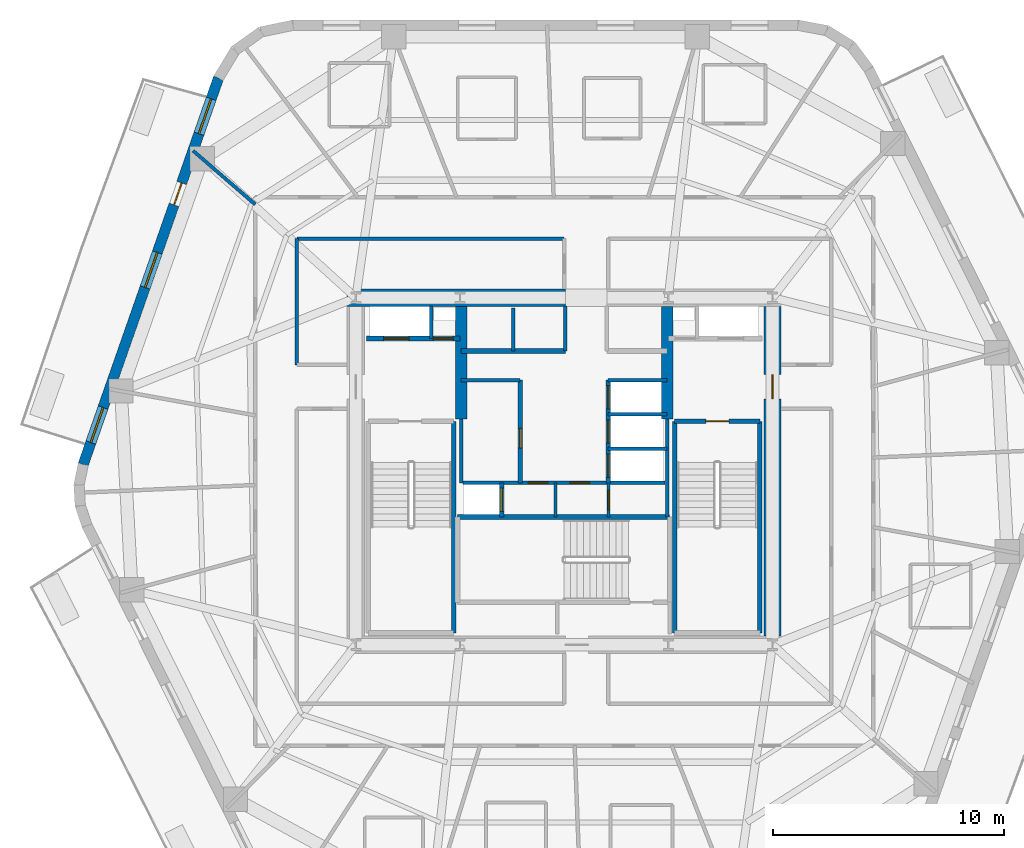
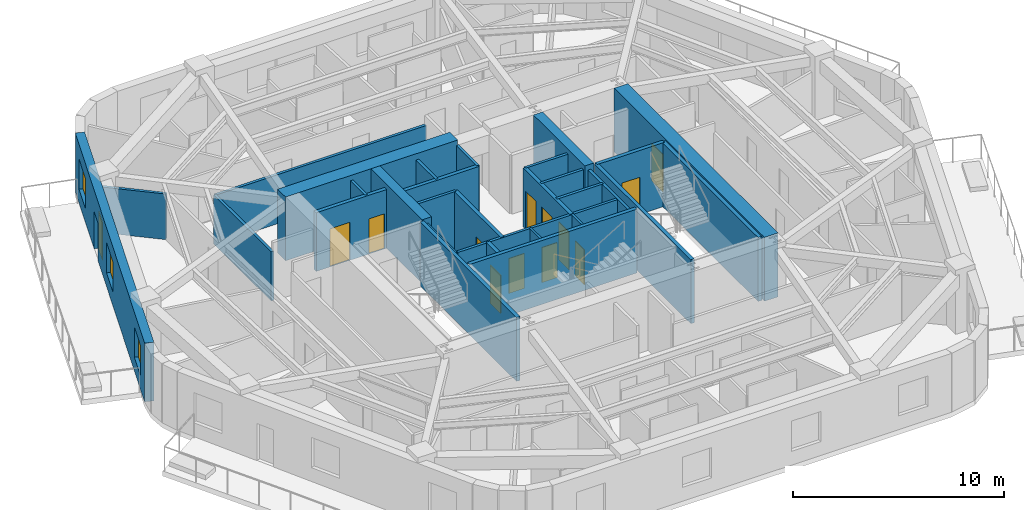
# One storey, part 4 of 10: 30 walls, 13 doors, 3 windows, 16 openings.
"""IFC4 building model written with IfcOpenShell, lengths in metres."""

from ifc_helpers import new_model, si_unit, direction, frame, frame_2d, origin, place, context, subcontext, project, spatial, rectangle, extrude, material, layer, layer_set, type_object, element, fill, save


model = new_model("IFC4")

# Units and contexts
model_context = context("Model", 3, precision=1e-05, world=origin(), true_north=direction((0.0, 1.0)))
body_context = subcontext(model_context, "Body", "Model", "MODEL_VIEW")
ifc_project = project(units=[si_unit("LENGTHUNIT", "METRE"), si_unit("AREAUNIT", "SQUARE_METRE"), si_unit("VOLUMEUNIT", "CUBIC_METRE"), si_unit("PLANEANGLEUNIT", "RADIAN"), si_unit("MASSUNIT", "GRAM", prefix="KILO")], contexts=[model_context])

# Site, building, storey
site_placement = place(None, origin())
site = spatial("IfcSite", under=ifc_project, at=site_placement, CompositionType="ELEMENT")
building_placement = place(site_placement, origin())
building = spatial("IfcBuilding", under=site, at=building_placement, Name="Kilnhurst Terrace Hotel", CompositionType="ELEMENT")
storey_placement = place(building_placement, frame((0.0, 0.0, 183.0)))
storey = spatial("IfcBuildingStorey", under=building, at=storey_placement, Name="L45", CompositionType="ELEMENT", Elevation=183.0)

# Wall, openings, door, windows
ifc_material_1 = material(Name="Precast concrete C40/50", Category="concrete")
ifc_layer_1 = layer(ifc_material_1, 0.449951171875, Name="Precast concrete C40/50")
ifc_layer_set_1 = layer_set([ifc_layer_1], Name="Precast concrete C40/50")
wall_type_1 = type_object("IfcWallType", Name="WL-BRK-450", PredefinedType="SOLIDWALL", material=ifc_layer_set_1)
wall_1_placement = place(storey_placement, frame((-14.936767578125, 16.993408203125, 0.0), z_axis=(0.0, 0.0, 1.0), x_axis=(-0.330431575061, -0.943829949834, 0.0)))
wall_1 = element("IfcWall", 1, at=wall_1_placement, inside=storey, type_object=wall_type_1, Name="L45 Exterior Brick Facade Wall F5", PredefinedType="SOLIDWALL", context=body_context, shape_type="SweptSolid", body=[
    extrude(rectangle(XDim=17.68896484375, YDim=0.449951171875, at=frame_2d((8.844482421875, 0.0))), origin(), (0.0, 0.0, 1.0), 3.39990234375),
])
opening_1_placement = place(wall_1_placement, frame((4.806884765625, 0.0, 0.0)))
opening_1 = element("IfcOpeningElement", 2, at=opening_1_placement, cuts=wall_1, Name="Opening BD-1000", PredefinedType="OPENING", context=body_context, shape_type="SweptSolid", body=[
    extrude(rectangle(XDim=1.0, YDim=2.14990234375, at=frame_2d((0.5, 1.074951171875))), frame((0.0, 0.23486328125, 0.0), z_axis=(0.0, -1.0, 0.0), x_axis=(1.0, 0.0, 0.0)), (0.0, 0.0, 1.0), 0.469970703125),
])
opening_2_placement = place(wall_1_placement, frame((0.949951171875, 0.0, 0.800048828125)))
opening_2 = element("IfcOpeningElement", 3, at=opening_2_placement, cuts=wall_1, Name="Opening W-05", PredefinedType="OPENING", context=body_context, shape_type="SweptSolid", body=[
    extrude(rectangle(XDim=1.60009765625, YDim=1.75, at=frame_2d((0.800048828125, 0.875))), frame((0.0, 0.23486328125, 0.0), z_axis=(0.0, -1.0, 0.0), x_axis=(1.0, 0.0, 0.0)), (0.0, 0.0, 1.0), 0.469970703125),
])
opening_3_placement = place(wall_1_placement, frame((7.989990234375, 0.0, 0.800048828125)))
opening_3 = element("IfcOpeningElement", 4, at=opening_3_placement, cuts=wall_1, Name="Opening W-05", PredefinedType="OPENING", context=body_context, shape_type="SweptSolid", body=[
    extrude(rectangle(XDim=1.60009765625, YDim=1.75, at=frame_2d((0.800048828125, 0.875))), frame((0.0, 0.23486328125, 0.0), z_axis=(0.0, -1.0, 0.0), x_axis=(1.0, 0.0, 0.0)), (0.0, 0.0, 1.0), 0.469970703125),
])
opening_4_placement = place(wall_1_placement, frame((15.083984375, 0.0, 0.800048828125)))
opening_4 = element("IfcOpeningElement", 5, at=opening_4_placement, cuts=wall_1, Name="Opening W-05", PredefinedType="OPENING", context=body_context, shape_type="SweptSolid", body=[
    extrude(rectangle(XDim=1.60009765625, YDim=1.75, at=frame_2d((0.800048828125, 0.875))), frame((0.0, 0.23486328125, 0.0), z_axis=(0.0, -1.0, 0.0), x_axis=(1.0, 0.0, 0.0)), (0.0, 0.0, 1.0), 0.469970703125),
])
ifc_material_2 = material(Name="Thermally Broken Bronze Aluminium Alloy 6063-T6 and Laminated Glass", Category="aluminium")
door_type_1 = type_object("IfcDoorType", Name="DR-EXT-BAL-1000", OperationType="NOTDEFINED", PredefinedType="DOOR", material=ifc_material_2)
door_1_placement = place(opening_1_placement, origin())
door_1 = element("IfcDoor", 6, at=door_1_placement, inside=storey, type_object=door_type_1, Name="L45 Planted Balcony Door BAL-L2A", OperationType="SINGLE_SWING_LEFT", OverallHeight=2.14990234375, OverallWidth=1.0, PredefinedType="DOOR", context=body_context, shape_type="SweptSolid", body=[
    extrude(rectangle(XDim=1.0, YDim=2.14990234375, at=frame_2d((0.5, 1.074951171875))), frame((0.0, 0.02490234375, 0.0), z_axis=(0.0, -1.0, 0.0), x_axis=(1.0, 0.0, 0.0)), (0.0, 0.0, 1.0), 0.050048828125),
])
fill(opening_1, door_1)
ifc_material_3 = material(Name="Thermally Broken Bronze Aluminium Alloy 6063-T6 and Low-E Glass", Category="aluminium")
window_type = type_object("IfcWindowType", Name="WIN-1600X1750", PartitioningType="SINGLE_PANEL", PredefinedType="WINDOW", material=ifc_material_3)
window_1_placement = place(opening_2_placement, origin())
window_1 = element("IfcWindow", 7, at=window_1_placement, inside=storey, type_object=window_type, Name="L45 Deep-Set Masonry Window F5.1", OverallHeight=1.75, OverallWidth=1.60009765625, PartitioningType="SINGLE_PANEL", PredefinedType="WINDOW", context=body_context, shape_type="SweptSolid", body=[
    extrude(rectangle(XDim=1.60009765625, YDim=1.75, at=frame_2d((0.800048828125, 0.875))), frame((0.0, 0.030029296875, 0.0), z_axis=(0.0, -1.0, 0.0), x_axis=(1.0, 0.0, 0.0)), (0.0, 0.0, 1.0), 0.06005859375),
])
fill(opening_2, window_1)
window_2_placement = place(opening_3_placement, origin())
window_2 = element("IfcWindow", 8, at=window_2_placement, inside=storey, type_object=window_type, Name="L45 Deep-Set Masonry Window F5.2", OverallHeight=1.75, OverallWidth=1.60009765625, PartitioningType="SINGLE_PANEL", PredefinedType="WINDOW", context=body_context, shape_type="SweptSolid", body=[
    extrude(rectangle(XDim=1.60009765625, YDim=1.75, at=frame_2d((0.800048828125, 0.875))), frame((0.0, 0.030029296875, 0.0), z_axis=(0.0, -1.0, 0.0), x_axis=(1.0, 0.0, 0.0)), (0.0, 0.0, 1.0), 0.06005859375),
])
fill(opening_3, window_2)
window_3_placement = place(opening_4_placement, origin())
window_3 = element("IfcWindow", 9, at=window_3_placement, inside=storey, type_object=window_type, Name="L45 Deep-Set Masonry Window F5.3", OverallHeight=1.75, OverallWidth=1.60009765625, PartitioningType="SINGLE_PANEL", PredefinedType="WINDOW", context=body_context, shape_type="SweptSolid", body=[
    extrude(rectangle(XDim=1.60009765625, YDim=1.75, at=frame_2d((0.800048828125, 0.875))), frame((0.0, 0.030029296875, 0.0), z_axis=(0.0, -1.0, 0.0), x_axis=(1.0, 0.0, 0.0)), (0.0, 0.0, 1.0), 0.06005859375),
])
fill(opening_4, window_3)

# Walls
ifc_material_4 = material(Name="Acoustic Double-Gypsum Corridor Partition Assembly")
ifc_layer_2 = layer(ifc_material_4, 0.14990234375, Name="Acoustic Double-Gypsum Corridor Partition Assembly")
ifc_layer_set_2 = layer_set([ifc_layer_2], Name="Acoustic Double-Gypsum Corridor Partition Assembly")
wall_type_2 = type_object("IfcWallType", Name="WL-COR-150", PredefinedType="PARTITIONING", material=ifc_layer_set_2)
wall_2_placement = place(storey_placement, frame((0.0, 10.050048828125, 0.0), z_axis=(0.0, 0.0, 1.0), x_axis=(-1.0, 0.0, 0.0)))
element("IfcWall", 10, at=wall_2_placement, inside=storey, type_object=wall_type_2, Name="L45 Interior Wall WL-L45-COR-12", PredefinedType="PARTITIONING", context=body_context, shape_type="SweptSolid", body=[
    extrude(rectangle(XDim=11.550048828125, YDim=0.14990234375, at=frame_2d((5.77490234375, 0.0))), origin(), (0.0, 0.0, 1.0), 2.840087890625),
])
wall_3_placement = place(storey_placement, frame((-11.550048828125, 10.050048828125, 0.0), z_axis=(0.0, 0.0, 1.0), x_axis=(0.0, -1.0, 0.0)))
element("IfcWall", 11, at=wall_3_placement, inside=storey, type_object=wall_type_2, Name="L45 Interior Wall WL-L45-COR-13", PredefinedType="PARTITIONING", context=body_context, shape_type="SweptSolid", body=[
    extrude(rectangle(XDim=5.449951171875, YDim=0.14990234375, at=frame_2d((2.72509765625, 0.0))), origin(), (0.0, 0.0, 1.0), 2.840087890625),
])
ifc_material_5 = material(Name="Concrete C60/75", Category="concrete")
ifc_layer_3 = layer(ifc_material_5, 0.75, Name="Concrete C60/75")
ifc_layer_set_3 = layer_set([ifc_layer_3], Name="Concrete C60/75")
wall_type_3 = type_object("IfcWallType", Name="WL-CORE-750", PredefinedType="SHEAR", material=ifc_layer_set_3)
wall_4_placement = place(storey_placement, frame((-9.375, 7.5, 0.0), z_axis=(0.0, 0.0, 1.0), x_axis=(1.0, 0.0, 0.0)))
element("IfcWall", 12, at=wall_4_placement, inside=storey, type_object=wall_type_3, Name="L45 Core North West Shear Wall", PredefinedType="SHEAR", context=body_context, shape_type="SweptSolid", body=[
    extrude(rectangle(XDim=9.425048828125, YDim=0.75, at=frame_2d((4.71240234375, 0.0))), origin(), (0.0, 0.0, 1.0), 3.699951171875),
])

# Wall, opening, door
wall_5_placement = place(storey_placement, frame((9.0, -7.125, 0.0), z_axis=(0.0, 0.0, 1.0), x_axis=(0.0, 1.0, 0.0)))
wall_5 = element("IfcWall", 13, at=wall_5_placement, inside=storey, type_object=wall_type_3, Name="L45 Core East Shear Wall", PredefinedType="SHEAR", context=body_context, shape_type="SweptSolid", body=[
    extrude(rectangle(XDim=14.25, YDim=0.75, at=frame_2d((7.125, 0.0))), origin(), (0.0, 0.0, 1.0), 3.699951171875),
])
opening_5_placement = place(wall_5_placement, frame((10.25, 0.0, 0.0)))
opening_5 = element("IfcOpeningElement", 14, at=opening_5_placement, cuts=wall_5, Name="Opening D-90A", PredefinedType="OPENING", context=body_context, shape_type="SweptSolid", body=[
    extrude(rectangle(XDim=1.050048828125, YDim=2.14990234375, at=frame_2d((0.52490234375, 1.074951171875))), frame((0.0, 0.385009765625, 0.0), z_axis=(0.0, -1.0, 0.0), x_axis=(1.0, 0.0, 0.0)), (0.0, 0.0, 1.0), 0.77001953125),
])
ifc_material_6 = material(Name="Painted Hollow Metal Steel ASTM A36 Fire Door", Category="steel")
door_type_2 = type_object("IfcDoorType", Name="DR-FD90-1050", OperationType="NOTDEFINED", PredefinedType="DOOR", material=ifc_material_6)
door_2_placement = place(opening_5_placement, origin())
door_2 = element("IfcDoor", 15, at=door_2_placement, inside=storey, type_object=door_type_2, Name="L45 East Firefighting Lobby Door", OperationType="SINGLE_SWING_LEFT", OverallHeight=2.14990234375, OverallWidth=1.050048828125, PredefinedType="DOOR", context=body_context, shape_type="SweptSolid", body=[
    extrude(rectangle(XDim=1.050048828125, YDim=2.14990234375, at=frame_2d((0.52490234375, 1.074951171875))), frame((0.0, 0.02490234375, 0.0), z_axis=(0.0, -1.0, 0.0), x_axis=(1.0, 0.0, 0.0)), (0.0, 0.0, 1.0), 0.050048828125),
])
fill(opening_5, door_2)

# Walls
ifc_layer_4 = layer(ifc_material_5, 0.5, Name="Concrete C60/75")
ifc_layer_set_4 = layer_set([ifc_layer_4], Name="Concrete C60/75")
wall_type_4 = type_object("IfcWallType", Name="WL-CORE-WEB-500", PredefinedType="SHEAR", material=ifc_layer_set_4)
for number, where, z_axis, x_axis, name in (
    (16, (-4.449951171875, 2.25, 0.0), (0.0, 0.0, 1.0), (0.0, 1.0, 0.0), "L45 Core Internal West Shear Web"),
    (17, (4.449951171875, 2.25, 0.0), (0.0, 0.0, 1.0), (0.0, 1.0, 0.0), "L45 Core Internal East Shear Web"),
):
    element("IfcWall", number, at=place(storey_placement, frame(where, z_axis=z_axis, x_axis=x_axis)), inside=storey, type_object=wall_type_4, Name=name, PredefinedType="SHEAR", context=body_context, shape_type="SweptSolid", body=[
        extrude(rectangle(XDim=4.875, YDim=0.5, at=frame_2d((2.4375, 0.0))), origin(), (0.0, 0.0, 1.0), 3.699951171875),
    ])
ifc_material_7 = material(Name="STC-58 Acoustic Twin-Frame Guestroom Demising Partition")
ifc_layer_5 = layer(ifc_material_7, 0.14990234375, Name="STC-58 Acoustic Twin-Frame Guestroom Demising Partition")
ifc_layer_set_5 = layer_set([ifc_layer_5], Name="STC-58 Acoustic Twin-Frame Guestroom Demising Partition")
wall_type_5 = type_object("IfcWallType", Name="WL-DEM-150", PredefinedType="PARTITIONING", material=ifc_layer_set_5)
wall_6_placement = place(storey_placement, frame((-13.35009765625, 11.53271484375, 0.0), z_axis=(0.0, 0.0, 1.0), x_axis=(-0.756711647314, 0.65374879183, 0.0)))
element("IfcWall", 18, at=wall_6_placement, inside=storey, type_object=wall_type_5, Name="L45 Interior Wall WL-L45-DEM-COL05-09-1", PredefinedType="PARTITIONING", context=body_context, shape_type="SweptSolid", body=[
    extrude(rectangle(XDim=3.549560546875, YDim=0.14990234375, at=frame_2d((1.77490234375, 0.0))), origin(), (0.0, 0.0, 1.0), 2.639892578125),
])
ifc_material_8 = material(Name="120 mm Moisture-Resistant Tile-Backed Bathroom Partition")
ifc_layer_6 = layer(ifc_material_8, 0.1201171875, Name="120 mm Moisture-Resistant Tile-Backed Bathroom Partition")
ifc_layer_set_6 = layer_set([ifc_layer_6], Name="120 mm Moisture-Resistant Tile-Backed Bathroom Partition")
wall_type_6 = type_object("IfcWallType", Name="WL-PART-120", PredefinedType="PARTITIONING", material=ifc_layer_set_6)
wall_7_placement = place(storey_placement, frame((-0.3798828125, -1.971923828125, 0.0), z_axis=(0.0, 0.0, 1.0), x_axis=(0.0, 1.0, 0.0)))
element("IfcWall", 19, at=wall_7_placement, inside=storey, type_object=wall_type_6, Name="L45 Interior Wall WL-L45-BOH-C1", PredefinedType="PARTITIONING", context=body_context, shape_type="SweptSolid", body=[
    extrude(rectangle(XDim=1.471923828125, YDim=0.1201171875, at=frame_2d((0.73583984375, 0.0))), origin(), (0.0, 0.0, 1.0), 3.39990234375),
])

# Wall, opening, door
wall_8_placement = place(storey_placement, frame((1.919921875, -1.971923828125, 0.0), z_axis=(0.0, 0.0, 1.0), x_axis=(0.0, 1.0, 0.0)))
wall_8 = element("IfcWall", 20, at=wall_8_placement, inside=storey, type_object=wall_type_6, Name="L45 Interior Wall WL-L45-BOH-C2", PredefinedType="PARTITIONING", context=body_context, shape_type="SweptSolid", body=[
    extrude(rectangle(XDim=1.471923828125, YDim=0.1201171875, at=frame_2d((0.73583984375, 0.0))), origin(), (0.0, 0.0, 1.0), 3.39990234375),
])
opening_6_placement = place(wall_8_placement, frame((0.300048828125, 0.0, 0.0)))
opening_6 = element("IfcOpeningElement", 21, at=opening_6_placement, cuts=wall_8, Name="Opening D-08A", PredefinedType="OPENING", context=body_context, shape_type="SweptSolid", body=[
    extrude(rectangle(XDim=0.85009765625, YDim=2.030029296875, at=frame_2d((0.425048828125, 1.01513671875))), frame((0.0, 0.070068359375, 0.0), z_axis=(0.0, -1.0, 0.0), x_axis=(1.0, 0.0, 0.0)), (0.0, 0.0, 1.0), 0.14013671875),
])
ifc_material_9 = material(Name="Moisture-Resistant Lacquered En-suite Bathroom Door")
door_type_3 = type_object("IfcDoorType", Name="DR-INT-850", OperationType="NOTDEFINED", PredefinedType="DOOR", material=ifc_material_9)
door_3_placement = place(opening_6_placement, origin())
door_3 = element("IfcDoor", 22, at=door_3_placement, inside=storey, type_object=door_type_3, Name="L45 Staff Restroom Door", OperationType="SINGLE_SWING_RIGHT", OverallHeight=2.030029296875, OverallWidth=0.85009765625, PredefinedType="DOOR", context=body_context, shape_type="SweptSolid", body=[
    extrude(rectangle(XDim=0.85009765625, YDim=2.030029296875, at=frame_2d((0.425048828125, 1.01513671875))), frame((0.0, 0.02490234375, 0.0), z_axis=(0.0, -1.0, 0.0), x_axis=(1.0, 0.0, 0.0)), (0.0, 0.0, 1.0), 0.050048828125),
])
fill(opening_6, door_3)

# Walls
ifc_material_10 = material(Name="Fire-Rated Gypsum Shaftliner Assembly")
ifc_layer_7 = layer(ifc_material_10, 0.14990234375, Name="Fire-Rated Gypsum Shaftliner Assembly")
ifc_layer_set_7 = layer_set([ifc_layer_7], Name="Fire-Rated Gypsum Shaftliner Assembly")
wall_type_7 = type_object("IfcWallType", Name="WL-SHAFT-150", PredefinedType="PARTITIONING", material=ifc_layer_set_7)
wall_9_placement = place(storey_placement, frame((-5.75, 5.739990234375, 0.0), z_axis=(0.0, 0.0, 1.0), x_axis=(0.0, 1.0, 0.0)))
element("IfcWall", 23, at=wall_9_placement, inside=storey, type_object=wall_type_7, Name="L45 Interior Wall WL-L45-RIS1-DIV", PredefinedType="PARTITIONING", context=body_context, shape_type="SweptSolid", body=[
    extrude(rectangle(XDim=1.409912109375, YDim=0.14990234375, at=frame_2d((0.705078125, 0.0))), origin(), (0.0, 0.0, 1.0), 3.39990234375),
])
wall_10_placement = place(storey_placement, frame((-2.199951171875, 5.199951171875, 0.0), z_axis=(0.0, 0.0, 1.0), x_axis=(0.0, 1.0, 0.0)))
element("IfcWall", 24, at=wall_10_placement, inside=storey, type_object=wall_type_7, Name="L45 Interior Wall WL-L45-HR-DIV1", PredefinedType="PARTITIONING", context=body_context, shape_type="SweptSolid", body=[
    extrude(rectangle(XDim=1.85009765625, YDim=0.14990234375, at=frame_2d((0.925048828125, 0.0))), origin(), (0.0, 0.0, 1.0), 3.39990234375),
])
wall_11_placement = place(storey_placement, frame((0.050048828125, 5.199951171875, 0.0), z_axis=(0.0, 0.0, 1.0), x_axis=(0.0, 1.0, 0.0)))
element("IfcWall", 25, at=wall_11_placement, inside=storey, type_object=wall_type_7, Name="L45 Interior Wall WL-L45-HR-PORTAL-W", PredefinedType="PARTITIONING", context=body_context, shape_type="SweptSolid", body=[
    extrude(rectangle(XDim=1.949951171875, YDim=0.14990234375, at=frame_2d((0.97509765625, 0.0))), origin(), (0.0, 0.0, 1.0), 3.39990234375),
])
wall_12_placement = place(storey_placement, frame((-4.449951171875, -0.5, 0.0), z_axis=(0.0, 0.0, 1.0), x_axis=(0.0, 1.0, 0.0)))
element("IfcWall", 26, at=wall_12_placement, inside=storey, type_object=wall_type_7, Name="L45 Interior Wall WL-L45-XLOB-W", PredefinedType="PARTITIONING", context=body_context, shape_type="SweptSolid", body=[
    extrude(rectangle(XDim=2.75, YDim=0.14990234375, at=frame_2d((1.375, 0.0))), origin(), (0.0, 0.0, 1.0), 3.39990234375),
])
wall_13_placement = place(storey_placement, frame((4.449951171875, -1.971923828125, 0.0), z_axis=(0.0, 0.0, 1.0), x_axis=(0.0, 1.0, 0.0)))
element("IfcWall", 27, at=wall_13_placement, inside=storey, type_object=wall_type_7, Name="L45 Interior Wall WL-L45-XLOB-E", PredefinedType="PARTITIONING", context=body_context, shape_type="SweptSolid", body=[
    extrude(rectangle(XDim=4.221923828125, YDim=0.14990234375, at=frame_2d((2.11083984375, 0.0))), origin(), (0.0, 0.0, 1.0), 3.39990234375),
])
for number, where, z_axis, x_axis, name in (
    (28, (-4.449951171875, 3.93994140625, 0.0), (0.0, 0.0, 1.0), (1.0, 0.0, 0.0), "L45 Interior Wall WL-L45-LR-NORTH"),
    (29, (1.89990234375, 3.93994140625, 0.0), (0.0, 0.0, 1.0), (1.0, 0.0, 0.0), "L45 Interior Wall WL-L45-MR-NORTH"),
    (30, (1.89990234375, 0.97998046875, 0.0), (0.0, 0.0, 1.0), (1.0, 0.0, 0.0), "L45 Interior Wall WL-L45-MR-D1"),
    (31, (1.89990234375, 2.4599609375, 0.0), (0.0, 0.0, 1.0), (1.0, 0.0, 0.0), "L45 Interior Wall WL-L45-MR-D2"),
):
    element("IfcWall", number, at=place(storey_placement, frame(where, z_axis=z_axis, x_axis=x_axis)), inside=storey, type_object=wall_type_7, Name=name, PredefinedType="PARTITIONING", context=body_context, shape_type="SweptSolid", body=[
        extrude(rectangle(XDim=2.550048828125, YDim=0.14990234375, at=frame_2d((1.27490234375, 0.0))), origin(), (0.0, 0.0, 1.0), 3.39990234375),
    ])

# Wall, openings, doors
wall_14_placement = place(storey_placement, frame((-4.360107421875, -0.489990234375, 0.0), z_axis=(0.0, 0.0, 1.0), x_axis=(1.0, 0.0, 0.0)))
wall_14 = element("IfcWall", 32, at=wall_14_placement, inside=storey, type_object=wall_type_7, Name="L45 Interior Wall WL-L45-BOH-N", PredefinedType="PARTITIONING", context=body_context, shape_type="SweptSolid", body=[
    extrude(rectangle(XDim=8.72021484375, YDim=0.14990234375, at=frame_2d((4.360107421875, 0.0))), origin(), (0.0, 0.0, 1.0), 3.39990234375),
])
opening_7_placement = place(wall_14_placement, frame((2.81005859375, 0.0, 0.0)))
opening_7 = element("IfcOpeningElement", 33, at=opening_7_placement, cuts=wall_14, Name="Opening D-60D", PredefinedType="OPENING", context=body_context, shape_type="SweptSolid", body=[
    extrude(rectangle(XDim=0.85009765625, YDim=2.030029296875, at=frame_2d((0.425048828125, 1.01513671875))), frame((0.0, 0.0849609375, 0.0), z_axis=(0.0, -1.0, 0.0), x_axis=(1.0, 0.0, 0.0)), (0.0, 0.0, 1.0), 0.169921875),
])
opening_8_placement = place(wall_14_placement, frame((4.610107421875, 0.0, 0.0)))
opening_8 = element("IfcOpeningElement", 34, at=opening_8_placement, cuts=wall_14, Name="Opening D-60D", PredefinedType="OPENING", context=body_context, shape_type="SweptSolid", body=[
    extrude(rectangle(XDim=0.85009765625, YDim=2.030029296875, at=frame_2d((0.425048828125, 1.01513671875))), frame((0.0, 0.0849609375, 0.0), z_axis=(0.0, -1.0, 0.0), x_axis=(1.0, 0.0, 0.0)), (0.0, 0.0, 1.0), 0.169921875),
])
ifc_material_11 = material(Name="Painted Hollow Metal Steel ASTM A36 Riser Door", Category="steel")
door_type_4 = type_object("IfcDoorType", Name="DR-FD60-850", OperationType="NOTDEFINED", PredefinedType="DOOR", material=ifc_material_11)
door_4_placement = place(opening_7_placement, origin())
door_4 = element("IfcDoor", 35, at=door_4_placement, inside=storey, type_object=door_type_4, Name="L45 Housekeeping Station Door", OperationType="SINGLE_SWING_LEFT", OverallHeight=2.030029296875, OverallWidth=0.85009765625, PredefinedType="DOOR", context=body_context, shape_type="SweptSolid", body=[
    extrude(rectangle(XDim=0.85009765625, YDim=2.030029296875, at=frame_2d((0.425048828125, 1.01513671875))), frame((0.0, 0.02490234375, 0.0), z_axis=(0.0, -1.0, 0.0), x_axis=(1.0, 0.0, 0.0)), (0.0, 0.0, 1.0), 0.050048828125),
])
fill(opening_7, door_4)
door_5_placement = place(opening_8_placement, origin())
door_5 = element("IfcDoor", 36, at=door_5_placement, inside=storey, type_object=door_type_4, Name="L45 Beverage Pantry Door", OperationType="SINGLE_SWING_RIGHT", OverallHeight=2.030029296875, OverallWidth=0.85009765625, PredefinedType="DOOR", context=body_context, shape_type="SweptSolid", body=[
    extrude(rectangle(XDim=0.85009765625, YDim=2.030029296875, at=frame_2d((0.425048828125, 1.01513671875))), frame((0.0, 0.02490234375, 0.0), z_axis=(0.0, -1.0, 0.0), x_axis=(1.0, 0.0, 0.0)), (0.0, 0.0, 1.0), 0.050048828125),
])
fill(opening_8, door_5)

ifc_material_12 = material(Name="Autoclaved Aerated Concrete C30/37 and Gypsum Shaft Assembly", Category="concrete")
ifc_layer_8 = layer(ifc_material_12, 0.199951171875, Name="Autoclaved Aerated Concrete C30/37 and Gypsum Shaft Assembly")
ifc_layer_set_8 = layer_set([ifc_layer_8], Name="Autoclaved Aerated Concrete C30/37 and Gypsum Shaft Assembly")
wall_type_8 = type_object("IfcWallType", Name="WL-SHAFT-200", PredefinedType="PARTITIONING", material=ifc_layer_set_8)
wall_15_placement = place(storey_placement, frame((-8.550048828125, 5.739990234375, 0.0), z_axis=(0.0, 0.0, 1.0), x_axis=(1.0, 0.0, 0.0)))
wall_15 = element("IfcWall", 37, at=wall_15_placement, inside=storey, type_object=wall_type_8, Name="L45 Interior Wall WL-L45-FSAE1-S", PredefinedType="PARTITIONING", context=body_context, shape_type="SweptSolid", body=[
    extrude(rectangle(XDim=4.050048828125, YDim=0.199951171875, at=frame_2d((2.02490234375, 0.0))), origin(), (0.0, 0.0, 1.0), 3.39990234375),
])
opening_9_placement = place(wall_15_placement, frame((0.75, 0.0, 0.0)))
opening_9 = element("IfcOpeningElement", 38, at=opening_9_placement, cuts=wall_15, Name="Opening LD-F1", PredefinedType="OPENING", context=body_context, shape_type="SweptSolid", body=[
    extrude(rectangle(XDim=1.10009765625, YDim=2.199951171875, at=frame_2d((0.550048828125, 1.10009765625))), frame((0.0, 0.10986328125, 0.0), z_axis=(0.0, -1.0, 0.0), x_axis=(1.0, 0.0, 0.0)), (0.0, 0.0, 1.0), 0.219970703125),
])
opening_10_placement = place(wall_15_placement, frame((2.89990234375, 0.0, 0.0)))
opening_10 = element("IfcOpeningElement", 39, at=opening_10_placement, cuts=wall_15, Name="Opening D-60D", PredefinedType="OPENING", context=body_context, shape_type="SweptSolid", body=[
    extrude(rectangle(XDim=0.85009765625, YDim=2.030029296875, at=frame_2d((0.425048828125, 1.01513671875))), frame((0.0, 0.10986328125, 0.0), z_axis=(0.0, -1.0, 0.0), x_axis=(1.0, 0.0, 0.0)), (0.0, 0.0, 1.0), 0.219970703125),
])
door_6_placement = place(opening_10_placement, origin())
door_6 = element("IfcDoor", 40, at=door_6_placement, inside=storey, type_object=door_type_4, Name="L45 Electrical Riser Door", OperationType="SINGLE_SWING_LEFT", OverallHeight=2.030029296875, OverallWidth=0.85009765625, PredefinedType="DOOR", context=body_context, shape_type="SweptSolid", body=[
    extrude(rectangle(XDim=0.85009765625, YDim=2.030029296875, at=frame_2d((0.425048828125, 1.01513671875))), frame((0.0, 0.02490234375, 0.0), z_axis=(0.0, -1.0, 0.0), x_axis=(1.0, 0.0, 0.0)), (0.0, 0.0, 1.0), 0.050048828125),
])
fill(opening_10, door_6)
ifc_material_13 = material(Name="Bronze-Anodized Stainless Steel AISI 316L Sliding Door", Category="steel")
door_type_5 = type_object("IfcDoorType", Name="DR-LIFT-1100", OperationType="NOTDEFINED", PredefinedType="DOOR", material=ifc_material_13)
door_7_placement = place(opening_9_placement, origin())
door_7 = element("IfcDoor", 41, at=door_7_placement, inside=storey, type_object=door_type_5, Name="L45 FSAE-1 Landing Door", OperationType="SLIDING_TO_LEFT", OverallHeight=2.199951171875, OverallWidth=1.10009765625, PredefinedType="DOOR", context=body_context, shape_type="SweptSolid", body=[
    extrude(rectangle(XDim=1.10009765625, YDim=2.199951171875, at=frame_2d((0.550048828125, 1.10009765625))), frame((0.0, 0.02490234375, 0.0), z_axis=(0.0, -1.0, 0.0), x_axis=(1.0, 0.0, 0.0)), (0.0, 0.0, 1.0), 0.050048828125),
])
fill(opening_9, door_7)

# Wall, opening, door
wall_16_placement = place(storey_placement, frame((-2.699951171875, -1.971923828125, 0.0), z_axis=(0.0, 0.0, 1.0), x_axis=(0.0, 1.0, 0.0)))
wall_16 = element("IfcWall", 42, at=wall_16_placement, inside=storey, type_object=wall_type_8, Name="L45 Interior Wall WL-L45-SRV1-E", PredefinedType="PARTITIONING", context=body_context, shape_type="SweptSolid", body=[
    extrude(rectangle(XDim=1.471923828125, YDim=0.199951171875, at=frame_2d((0.73583984375, 0.0))), origin(), (0.0, 0.0, 1.0), 3.39990234375),
])
opening_11_placement = place(wall_16_placement, frame((0.239990234375, 0.0, 0.0)))
opening_11 = element("IfcOpeningElement", 43, at=opening_11_placement, cuts=wall_16, Name="Opening LD-SV", PredefinedType="OPENING", context=body_context, shape_type="SweptSolid", body=[
    extrude(rectangle(XDim=1.0, YDim=2.199951171875, at=frame_2d((0.5, 1.10009765625))), frame((0.0, 0.10986328125, 0.0), z_axis=(0.0, -1.0, 0.0), x_axis=(1.0, 0.0, 0.0)), (0.0, 0.0, 1.0), 0.219970703125),
])
door_type_6 = type_object("IfcDoorType", Name="DR-LIFT-1000", OperationType="NOTDEFINED", PredefinedType="DOOR", material=ifc_material_13)
door_8_placement = place(opening_11_placement, origin())
door_8 = element("IfcDoor", 44, at=door_8_placement, inside=storey, type_object=door_type_6, Name="L45 Service Lift SRV-1 Landing Door", OperationType="SLIDING_TO_LEFT", OverallHeight=2.199951171875, OverallWidth=1.0, PredefinedType="DOOR", context=body_context, shape_type="SweptSolid", body=[
    extrude(rectangle(XDim=1.0, YDim=2.199951171875, at=frame_2d((0.5, 1.10009765625))), frame((0.0, 0.02490234375, 0.0), z_axis=(0.0, -1.0, 0.0), x_axis=(1.0, 0.0, 0.0)), (0.0, 0.0, 1.0), 0.050048828125),
])
fill(opening_11, door_8)

# Wall
wall_17_placement = place(storey_placement, frame((-4.449951171875, 5.199951171875, 0.0), z_axis=(0.0, 0.0, 1.0), x_axis=(1.0, 0.0, 0.0)))
element("IfcWall", 45, at=wall_17_placement, inside=storey, type_object=wall_type_8, Name="L45 Interior Wall WL-L45-HR-SW", PredefinedType="PARTITIONING", context=body_context, shape_type="SweptSolid", body=[
    extrude(rectangle(XDim=4.5, YDim=0.199951171875, at=frame_2d((2.25, 0.0))), origin(), (0.0, 0.0, 1.0), 3.39990234375),
])

# Wall, opening, door
wall_18_placement = place(storey_placement, frame((-1.89990234375, -0.5, 0.0), z_axis=(0.0, 0.0, 1.0), x_axis=(0.0, 1.0, 0.0)))
wall_18 = element("IfcWall", 46, at=wall_18_placement, inside=storey, type_object=wall_type_8, Name="L45 Interior Wall WL-L45-LR-FRONT", PredefinedType="PARTITIONING", context=body_context, shape_type="SweptSolid", body=[
    extrude(rectangle(XDim=4.43994140625, YDim=0.199951171875, at=frame_2d((2.219970703125, 0.0))), origin(), (0.0, 0.0, 1.0), 3.39990234375),
])
opening_12_placement = place(wall_18_placement, frame((1.5, 0.0, 0.0)))
opening_12 = element("IfcOpeningElement", 47, at=opening_12_placement, cuts=wall_18, Name="Opening D-60D", PredefinedType="OPENING", context=body_context, shape_type="SweptSolid", body=[
    extrude(rectangle(XDim=0.85009765625, YDim=2.030029296875, at=frame_2d((0.425048828125, 1.01513671875))), frame((0.0, 0.10986328125, 0.0), z_axis=(0.0, -1.0, 0.0), x_axis=(1.0, 0.0, 0.0)), (0.0, 0.0, 1.0), 0.219970703125),
])
door_9_placement = place(opening_12_placement, origin())
door_9 = element("IfcDoor", 48, at=door_9_placement, inside=storey, type_object=door_type_4, Name="L45 Reclaimed Linen Room Door", OperationType="SINGLE_SWING_LEFT", OverallHeight=2.030029296875, OverallWidth=0.85009765625, PredefinedType="DOOR", context=body_context, shape_type="SweptSolid", body=[
    extrude(rectangle(XDim=0.85009765625, YDim=2.030029296875, at=frame_2d((0.425048828125, 1.01513671875))), frame((0.0, 0.02490234375, 0.0), z_axis=(0.0, -1.0, 0.0), x_axis=(1.0, 0.0, 0.0)), (0.0, 0.0, 1.0), 0.050048828125),
])
fill(opening_12, door_9)

# Wall, openings, doors
wall_19_placement = place(storey_placement, frame((1.89990234375, -0.5, 0.0), z_axis=(0.0, 0.0, 1.0), x_axis=(0.0, 1.0, 0.0)))
wall_19 = element("IfcWall", 49, at=wall_19_placement, inside=storey, type_object=wall_type_8, Name="L45 Interior Wall WL-L45-MR-FRONT", PredefinedType="PARTITIONING", context=body_context, shape_type="SweptSolid", body=[
    extrude(rectangle(XDim=4.43994140625, YDim=0.199951171875, at=frame_2d((2.219970703125, 0.0))), origin(), (0.0, 0.0, 1.0), 3.39990234375),
])
opening_13_placement = place(wall_19_placement, frame((0.239990234375, 0.0, 0.0)))
opening_13 = element("IfcOpeningElement", 50, at=opening_13_placement, cuts=wall_19, Name="Opening LD-MR", PredefinedType="OPENING", context=body_context, shape_type="SweptSolid", body=[
    extrude(rectangle(XDim=1.0, YDim=2.199951171875, at=frame_2d((0.5, 1.10009765625))), frame((0.0, 0.10986328125, 0.0), z_axis=(0.0, -1.0, 0.0), x_axis=(1.0, 0.0, 0.0)), (0.0, 0.0, 1.0), 0.219970703125),
])
opening_14_placement = place(wall_19_placement, frame((1.719970703125, 0.0, 0.0)))
opening_14 = element("IfcOpeningElement", 51, at=opening_14_placement, cuts=wall_19, Name="Opening LD-MR", PredefinedType="OPENING", context=body_context, shape_type="SweptSolid", body=[
    extrude(rectangle(XDim=1.0, YDim=2.199951171875, at=frame_2d((0.5, 1.10009765625))), frame((0.0, 0.10986328125, 0.0), z_axis=(0.0, -1.0, 0.0), x_axis=(1.0, 0.0, 0.0)), (0.0, 0.0, 1.0), 0.219970703125),
])
opening_15_placement = place(wall_19_placement, frame((3.199951171875, 0.0, 0.0)))
opening_15 = element("IfcOpeningElement", 52, at=opening_15_placement, cuts=wall_19, Name="Opening LD-MR", PredefinedType="OPENING", context=body_context, shape_type="SweptSolid", body=[
    extrude(rectangle(XDim=1.0, YDim=2.199951171875, at=frame_2d((0.5, 1.10009765625))), frame((0.0, 0.10986328125, 0.0), z_axis=(0.0, -1.0, 0.0), x_axis=(1.0, 0.0, 0.0)), (0.0, 0.0, 1.0), 0.219970703125),
])
door_10_placement = place(opening_13_placement, origin())
door_10 = element("IfcDoor", 53, at=door_10_placement, inside=storey, type_object=door_type_6, Name="L45 Mid Rise Lift MR-1 Landing Door", OperationType="SLIDING_TO_RIGHT", OverallHeight=2.199951171875, OverallWidth=1.0, PredefinedType="DOOR", context=body_context, shape_type="SweptSolid", body=[
    extrude(rectangle(XDim=1.0, YDim=2.199951171875, at=frame_2d((0.5, 1.10009765625))), frame((0.0, 0.02490234375, 0.0), z_axis=(0.0, -1.0, 0.0), x_axis=(1.0, 0.0, 0.0)), (0.0, 0.0, 1.0), 0.050048828125),
])
fill(opening_13, door_10)
door_11_placement = place(opening_14_placement, origin())
door_11 = element("IfcDoor", 54, at=door_11_placement, inside=storey, type_object=door_type_6, Name="L45 Mid Rise Lift MR-2 Landing Door", OperationType="SLIDING_TO_RIGHT", OverallHeight=2.199951171875, OverallWidth=1.0, PredefinedType="DOOR", context=body_context, shape_type="SweptSolid", body=[
    extrude(rectangle(XDim=1.0, YDim=2.199951171875, at=frame_2d((0.5, 1.10009765625))), frame((0.0, 0.02490234375, 0.0), z_axis=(0.0, -1.0, 0.0), x_axis=(1.0, 0.0, 0.0)), (0.0, 0.0, 1.0), 0.050048828125),
])
fill(opening_14, door_11)
door_12_placement = place(opening_15_placement, origin())
door_12 = element("IfcDoor", 55, at=door_12_placement, inside=storey, type_object=door_type_6, Name="L45 Mid Rise Lift MR-3 Landing Door", OperationType="SLIDING_TO_RIGHT", OverallHeight=2.199951171875, OverallWidth=1.0, PredefinedType="DOOR", context=body_context, shape_type="SweptSolid", body=[
    extrude(rectangle(XDim=1.0, YDim=2.199951171875, at=frame_2d((0.5, 1.10009765625))), frame((0.0, 0.02490234375, 0.0), z_axis=(0.0, -1.0, 0.0), x_axis=(1.0, 0.0, 0.0)), (0.0, 0.0, 1.0), 0.050048828125),
])
fill(opening_15, door_12)

# Walls
ifc_material_14 = material(Name="Concrete C50/60", Category="concrete")
ifc_layer_9 = layer(ifc_material_14, 0.199951171875, Name="Concrete C50/60")
ifc_layer_set_9 = layer_set([ifc_layer_9], Name="Concrete C50/60")
wall_type_9 = type_object("IfcWallType", Name="WL-STAIR-RC-200", PredefinedType="SHEAR", material=ifc_layer_set_9)
for number, where, z_axis, x_axis, name in (
    (56, (-4.77197265625, -6.985107421875, 0.0), (0.0, 0.0, 1.0), (0.0, 1.0, 0.0), "L45 Structural Stair Shaft Wall WL-L45-ST1-E"),
    (57, (4.77197265625, -6.985107421875, 0.0), (0.0, 0.0, 1.0), (0.0, 1.0, 0.0), "L45 Structural Stair Shaft Wall WL-L45-ST2-W"),
    (58, (8.4580078125, -6.985107421875, 0.0), (0.0, 0.0, 1.0), (0.0, 1.0, 0.0), "L45 Structural Stair Shaft Wall WL-L45-ST2-E"),
):
    element("IfcWall", number, at=place(storey_placement, frame(where, z_axis=z_axis, x_axis=x_axis)), inside=storey, type_object=wall_type_9, Name=name, PredefinedType="SHEAR", context=body_context, shape_type="SweptSolid", body=[
        extrude(rectangle(XDim=9.14306640625, YDim=0.199951171875, at=frame_2d((4.571533203125, 0.0))), origin(), (0.0, 0.0, 1.0), 3.699951171875),
    ])

# Wall, opening, door
wall_20_placement = place(storey_placement, frame((4.77197265625, 2.157958984375, 0.0), z_axis=(0.0, 0.0, 1.0), x_axis=(1.0, 0.0, 0.0)))
wall_20 = element("IfcWall", 59, at=wall_20_placement, inside=storey, type_object=wall_type_9, Name="L45 Structural Stair Shaft Wall WL-L45-ST2-N", PredefinedType="SHEAR", context=body_context, shape_type="SweptSolid", body=[
    extrude(rectangle(XDim=3.68603515625, YDim=0.199951171875, at=frame_2d((1.843017578125, 0.0))), origin(), (0.0, 0.0, 1.0), 3.699951171875),
])
opening_16_placement = place(wall_20_placement, frame((1.35009765625, 0.0, 0.0)))
opening_16 = element("IfcOpeningElement", 60, at=opening_16_placement, cuts=wall_20, Name="Opening D-90B", PredefinedType="OPENING", context=body_context, shape_type="SweptSolid", body=[
    extrude(rectangle(XDim=1.0, YDim=2.14990234375, at=frame_2d((0.5, 1.074951171875))), frame((0.0, 0.10986328125, 0.0), z_axis=(0.0, -1.0, 0.0), x_axis=(1.0, 0.0, 0.0)), (0.0, 0.0, 1.0), 0.219970703125),
])
door_type_7 = type_object("IfcDoorType", Name="DR-FD90-1000", OperationType="NOTDEFINED", PredefinedType="DOOR", material=ifc_material_6)
door_13_placement = place(opening_16_placement, origin())
door_13 = element("IfcDoor", 61, at=door_13_placement, inside=storey, type_object=door_type_7, Name="L45 Stair ST-2 Door", OperationType="SINGLE_SWING_RIGHT", OverallHeight=2.14990234375, OverallWidth=1.0, PredefinedType="DOOR", context=body_context, shape_type="SweptSolid", body=[
    extrude(rectangle(XDim=1.0, YDim=2.14990234375, at=frame_2d((0.5, 1.074951171875))), frame((0.0, 0.02490234375, 0.0), z_axis=(0.0, -1.0, 0.0), x_axis=(1.0, 0.0, 0.0)), (0.0, 0.0, 1.0), 0.050048828125),
])
fill(opening_16, door_13)

# Wall
wall_21_placement = place(storey_placement, frame((-4.60791015625, -1.971923828125, 0.0), z_axis=(0.0, 0.0, 1.0), x_axis=(1.0, 0.0, 0.0)))
element("IfcWall", 62, at=wall_21_placement, inside=storey, type_object=wall_type_9, Name="L45 Structural Stair Shaft Wall WL-L45-ST3-N", PredefinedType="SHEAR", context=body_context, shape_type="SweptSolid", body=[
    extrude(rectangle(XDim=9.166015625, YDim=0.199951171875, at=frame_2d((4.5830078125, 0.0))), origin(), (0.0, 0.0, 1.0), 3.699951171875),
])

save(model, "model.ifc")
